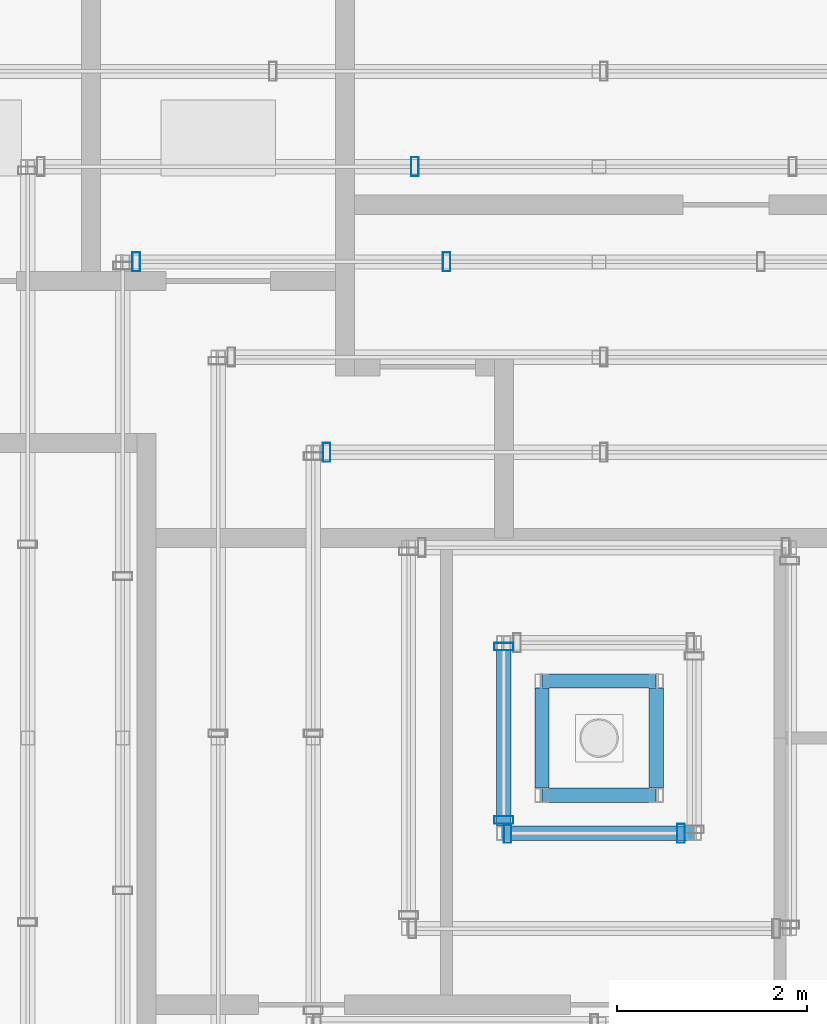
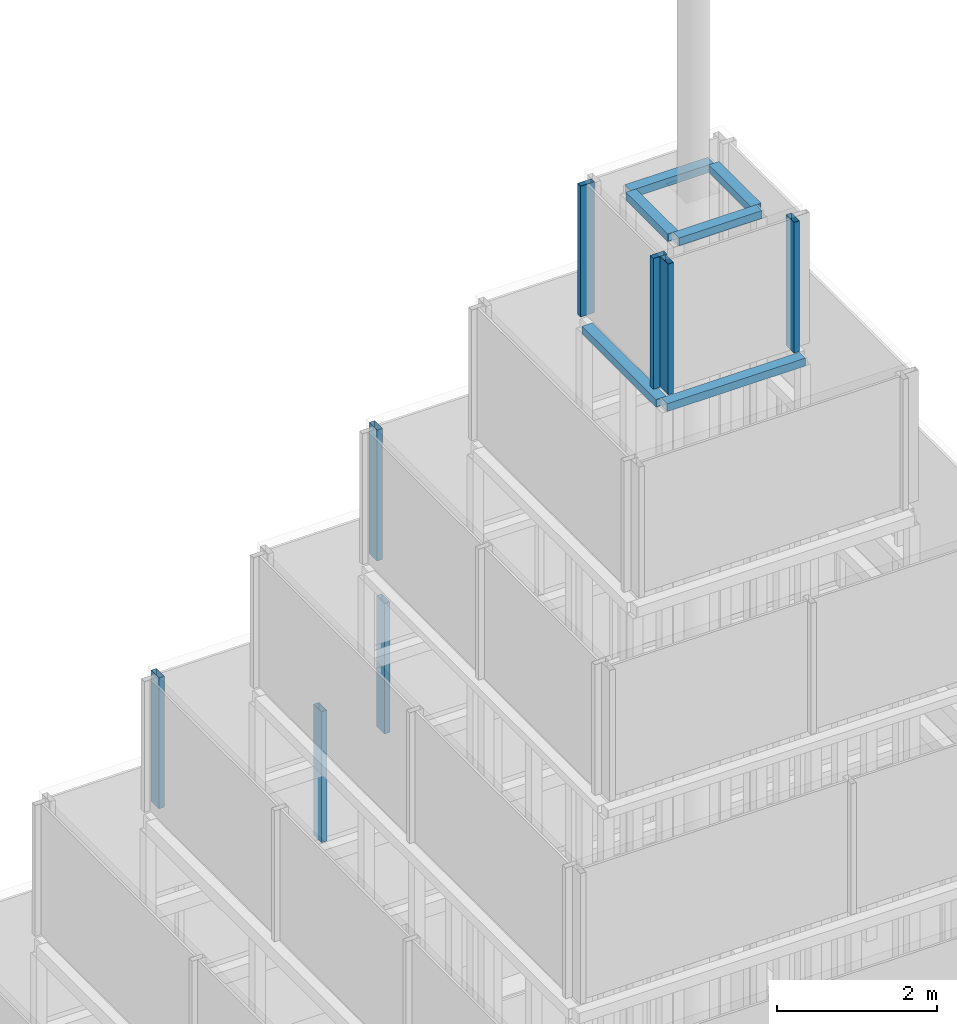
# One storey, part 11 of 24: 8 members, 6 beams, 5 elements without a shape of their own.
"""IFC4 building model written with IfcOpenShell, lengths in metres."""

from ifc_helpers import new_model, si_unit, direction, frame, origin, origin_2d, place, context, subcontext, project, spatial, hollow_rectangle, extrude, material, material_profile, profile_set, type_object, element, aggregate, save


model = new_model("IFC4")

# Units and contexts
model_context = context("Model", 3, precision=1e-05, world=origin(), true_north=direction((0.0, 1.0)))
body_context = subcontext(model_context, "Body", "Model", "MODEL_VIEW")
ifc_project = project(units=[si_unit("LENGTHUNIT", "METRE"), si_unit("AREAUNIT", "SQUARE_METRE"), si_unit("VOLUMEUNIT", "CUBIC_METRE"), si_unit("PLANEANGLEUNIT", "RADIAN"), si_unit("MASSUNIT", "GRAM", prefix="KILO")], contexts=[model_context])

# Site, building, storey
site_placement = place(None, origin())
site = spatial("IfcSite", under=ifc_project, at=site_placement, CompositionType="ELEMENT")
building_placement = place(site_placement, origin())
building = spatial("IfcBuilding", under=site, at=building_placement, Name="Altepetl Exchange Towers", CompositionType="ELEMENT")
storey_placement = place(building_placement, frame((0.0, 0.0, 279.10009765625)))
storey = spatial("IfcBuildingStorey", under=building, at=storey_placement, Name="L70 Crown plant", CompositionType="ELEMENT", Elevation=279.10009765625)

# Beams
ifc_material_1 = material(Name="Steel S355", Category="steel")
ifc_material_profile_1 = material_profile(ifc_material_1, hollow_rectangle(XDim=0.14990234375, YDim=0.1201171875, WallThickness=0.008056640625, at=origin_2d()), Name="RHS 120x150x8")
ifc_profile_set_1 = profile_set([ifc_material_profile_1], Name="Steel S355")
beam_type = type_object("IfcBeamType", Name="Crown ring beam hollow section 150x120x8", PredefinedType="BEAM", material=ifc_profile_set_1)
beam_1_placement = place(storey_placement, frame((48.5, 48.5, 19.33984375), z_axis=(1.0, 0.0, 0.0), x_axis=(0.0, 1.0, 0.0)))
element("IfcBeam", 1, at=beam_1_placement, inside=storey, type_object=beam_type, Name="Crown ring beam", PredefinedType="BEAM", context=body_context, shape_type="SweptSolid", body=[
    extrude(hollow_rectangle(XDim=0.14990234375, YDim=0.1201171875, WallThickness=0.008056640625, at=origin_2d()), origin(), (0.0, 0.0, 1.0), 2.0),
])
beam_2_placement = place(storey_placement, frame((48.5, 50.425048828125, 19.33984375), z_axis=(0.0, -1.0, 0.0), x_axis=(1.0, 0.0, 0.0)))
element("IfcBeam", 2, at=beam_2_placement, inside=storey, type_object=beam_type, Name="Crown ring beam", PredefinedType="BEAM", context=body_context, shape_type="SweptSolid", body=[
    extrude(hollow_rectangle(XDim=0.14990234375, YDim=0.1201171875, WallThickness=0.008056640625, at=origin_2d()), origin(), (0.0, 0.0, 1.0), 1.85009765625),
])
beam_3_placement = place(storey_placement, frame((48.89990234375, 48.89990234375, 21.489990234375), z_axis=(1.0, 0.0, 0.0), x_axis=(0.0, 1.0, 0.0)))
element("IfcBeam", 3, at=beam_3_placement, inside=storey, type_object=beam_type, Name="Crown ring beam", PredefinedType="BEAM", context=body_context, shape_type="SweptSolid", body=[
    extrude(hollow_rectangle(XDim=0.14990234375, YDim=0.1201171875, WallThickness=0.008056640625, at=origin_2d()), origin(), (0.0, 0.0, 1.0), 1.2001953125),
])
beam_4_placement = place(storey_placement, frame((50.10009765625, 48.97509765625, 21.489990234375), z_axis=(0.0, 1.0, 0.0), x_axis=(-1.0, 0.0, 0.0)))
element("IfcBeam", 4, at=beam_4_placement, inside=storey, type_object=beam_type, Name="Crown ring beam", PredefinedType="BEAM", context=body_context, shape_type="SweptSolid", body=[
    extrude(hollow_rectangle(XDim=0.14990234375, YDim=0.1201171875, WallThickness=0.008056640625, at=origin_2d()), origin(), (0.0, 0.0, 1.0), 1.0498046875),
])
beam_5_placement = place(storey_placement, frame((50.10009765625, 50.10009765625, 21.489990234375), z_axis=(-1.0, 0.0, 0.0), x_axis=(0.0, -1.0, 0.0)))
element("IfcBeam", 5, at=beam_5_placement, inside=storey, type_object=beam_type, Name="Crown ring beam", PredefinedType="BEAM", context=body_context, shape_type="SweptSolid", body=[
    extrude(hollow_rectangle(XDim=0.14990234375, YDim=0.1201171875, WallThickness=0.008056640625, at=origin_2d()), origin(), (0.0, 0.0, 1.0), 1.2001953125),
])
beam_6_placement = place(storey_placement, frame((48.89990234375, 50.02490234375, 21.489990234375), z_axis=(0.0, -1.0, 0.0), x_axis=(1.0, 0.0, 0.0)))
element("IfcBeam", 6, at=beam_6_placement, inside=storey, type_object=beam_type, Name="Crown ring beam", PredefinedType="BEAM", context=body_context, shape_type="SweptSolid", body=[
    extrude(hollow_rectangle(XDim=0.14990234375, YDim=0.1201171875, WallThickness=0.008056640625, at=origin_2d()), origin(), (0.0, 0.0, 1.0), 1.0498046875),
])

# Curtain wall, member
ifc_material_2 = material(Name="Aluminium 6063-T6 glazing", Category="aluminium")
curtain_wall_type = type_object("IfcCurtainWallType", Name="Crown glazing system", PredefinedType="NOTDEFINED", material=ifc_material_2)
curtain_wall_1_placement = place(storey_placement, origin())
curtain_wall_1 = element("IfcCurtainWall", 7, at=curtain_wall_1_placement, inside=storey, type_object=curtain_wall_type, Name="CW7 run", PredefinedType="NOTDEFINED")
ifc_material_3 = material(Name="Aluminium 6063-T6", Category="aluminium")
ifc_material_profile_2 = material_profile(ifc_material_3, hollow_rectangle(XDim=0.080078125, YDim=0.199951171875, WallThickness=0.0029296875, at=origin_2d()), Name="Mullion 80x200 hollow aluminium")
ifc_profile_set_2 = profile_set([ifc_material_profile_2], Name="Aluminium 6063-T6")
member_type = type_object("IfcMemberType", Name="Mullion 80x200 hollow aluminium", PredefinedType="MULLION", material=ifc_profile_set_2)
member_1_placement = place(storey_placement, frame((47.566650390625, 55.5, 8.7998046875), z_axis=(0.0, 0.0, 1.0), x_axis=(-1.0, 0.0, 0.0)))
member_1 = element("IfcMember", 8, at=member_1_placement, type_object=member_type, Name="MU5 mullion", PredefinedType="MULLION", context=body_context, shape_type="SweptSolid", body=[
    extrude(hollow_rectangle(XDim=0.080078125, YDim=0.199951171875, WallThickness=0.0029296875, at=origin_2d()), origin(), (0.0, 0.0, 1.0), 2.0),
])
aggregate(curtain_wall_1, [member_1])

# Curtain wall, members
curtain_wall_2_placement = place(storey_placement, origin())
curtain_wall_2 = element("IfcCurtainWall", 9, at=curtain_wall_2_placement, inside=storey, type_object=curtain_wall_type, Name="CW7 run", PredefinedType="NOTDEFINED")
member_2_placement = place(storey_placement, frame((47.89990234375, 54.5, 10.949951171875), z_axis=(0.0, 0.0, 1.0), x_axis=(-1.0, 0.0, 0.0)))
member_2 = element("IfcMember", 10, at=member_2_placement, type_object=member_type, Name="MU5 mullion", PredefinedType="MULLION", context=body_context, shape_type="SweptSolid", body=[
    extrude(hollow_rectangle(XDim=0.080078125, YDim=0.199951171875, WallThickness=0.0029296875, at=origin_2d()), origin(), (0.0, 0.0, 1.0), 2.0),
])
member_3_placement = place(storey_placement, frame((44.639892578125, 54.5, 10.949951171875), z_axis=(0.0, 0.0, 1.0), x_axis=(-1.0, 0.0, 0.0)))
member_3 = element("IfcMember", 11, at=member_3_placement, type_object=member_type, Name="MU5 mullion", PredefinedType="MULLION", context=body_context, shape_type="SweptSolid", body=[
    extrude(hollow_rectangle(XDim=0.080078125, YDim=0.199951171875, WallThickness=0.0029296875, at=origin_2d()), origin(), (0.0, 0.0, 1.0), 2.0),
])
aggregate(curtain_wall_2, [member_2, member_3])

# Curtain wall, member
curtain_wall_3_placement = place(storey_placement, origin())
curtain_wall_3 = element("IfcCurtainWall", 12, at=curtain_wall_3_placement, inside=storey, type_object=curtain_wall_type, Name="CW7 run", PredefinedType="NOTDEFINED")
member_4_placement = place(storey_placement, frame((46.639892578125, 52.5, 15.25), z_axis=(0.0, 0.0, 1.0), x_axis=(-1.0, 0.0, 0.0)))
member_4 = element("IfcMember", 13, at=member_4_placement, type_object=member_type, Name="MU5 mullion", PredefinedType="MULLION", context=body_context, shape_type="SweptSolid", body=[
    extrude(hollow_rectangle(XDim=0.080078125, YDim=0.199951171875, WallThickness=0.0029296875, at=origin_2d()), origin(), (0.0, 0.0, 1.0), 2.0),
])
aggregate(curtain_wall_3, [member_4])

# Curtain wall, members
curtain_wall_4_placement = place(storey_placement, origin())
curtain_wall_4 = element("IfcCurtainWall", 14, at=curtain_wall_4_placement, inside=storey, type_object=curtain_wall_type, Name="CW7 run", PredefinedType="NOTDEFINED")
member_5_placement = place(storey_placement, frame((48.5400390625, 48.5, 19.5498046875)))
member_5 = element("IfcMember", 15, at=member_5_placement, type_object=member_type, Name="MU5 mullion", PredefinedType="MULLION", context=body_context, shape_type="SweptSolid", body=[
    extrude(hollow_rectangle(XDim=0.080078125, YDim=0.199951171875, WallThickness=0.0029296875, at=origin_2d()), origin(), (0.0, 0.0, 1.0), 2.0),
])
member_6_placement = place(storey_placement, frame((50.360107421875, 48.5, 19.5498046875)))
member_6 = element("IfcMember", 16, at=member_6_placement, type_object=member_type, Name="MU5 mullion", PredefinedType="MULLION", context=body_context, shape_type="SweptSolid", body=[
    extrude(hollow_rectangle(XDim=0.080078125, YDim=0.199951171875, WallThickness=0.0029296875, at=origin_2d()), origin(), (0.0, 0.0, 1.0), 2.0),
])
aggregate(curtain_wall_4, [member_5, member_6])

curtain_wall_5_placement = place(storey_placement, origin())
curtain_wall_5 = element("IfcCurtainWall", 17, at=curtain_wall_5_placement, inside=storey, type_object=curtain_wall_type, Name="CW7 run", PredefinedType="NOTDEFINED")
member_7_placement = place(storey_placement, frame((48.5, 50.4599609375, 19.5498046875), z_axis=(0.0, 0.0, 1.0), x_axis=(0.0, -1.0, 0.0)))
member_7 = element("IfcMember", 18, at=member_7_placement, type_object=member_type, Name="MU5 mullion", PredefinedType="MULLION", context=body_context, shape_type="SweptSolid", body=[
    extrude(hollow_rectangle(XDim=0.080078125, YDim=0.199951171875, WallThickness=0.0029296875, at=origin_2d()), origin(), (0.0, 0.0, 1.0), 2.0),
])
member_8_placement = place(storey_placement, frame((48.5, 48.639892578125, 19.5498046875), z_axis=(0.0, 0.0, 1.0), x_axis=(0.0, -1.0, 0.0)))
member_8 = element("IfcMember", 19, at=member_8_placement, type_object=member_type, Name="MU5 mullion", PredefinedType="MULLION", context=body_context, shape_type="SweptSolid", body=[
    extrude(hollow_rectangle(XDim=0.080078125, YDim=0.199951171875, WallThickness=0.0029296875, at=origin_2d()), origin(), (0.0, 0.0, 1.0), 2.0),
])
aggregate(curtain_wall_5, [member_7, member_8])

save(model, "model.ifc")
